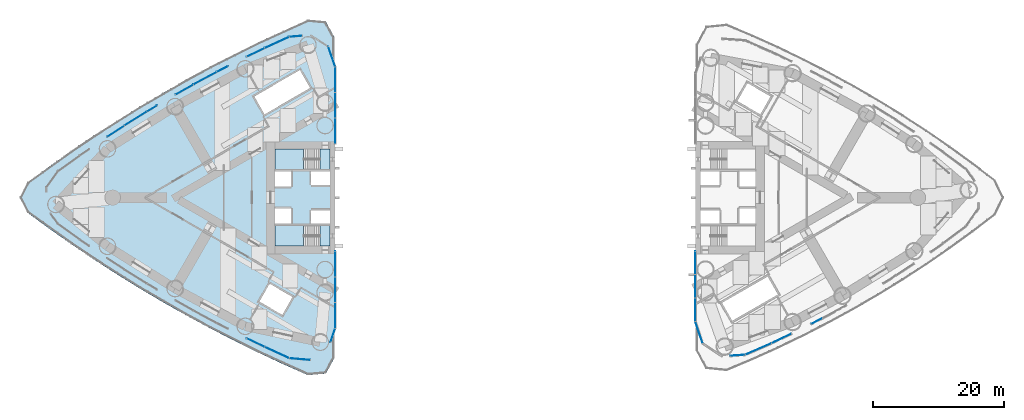
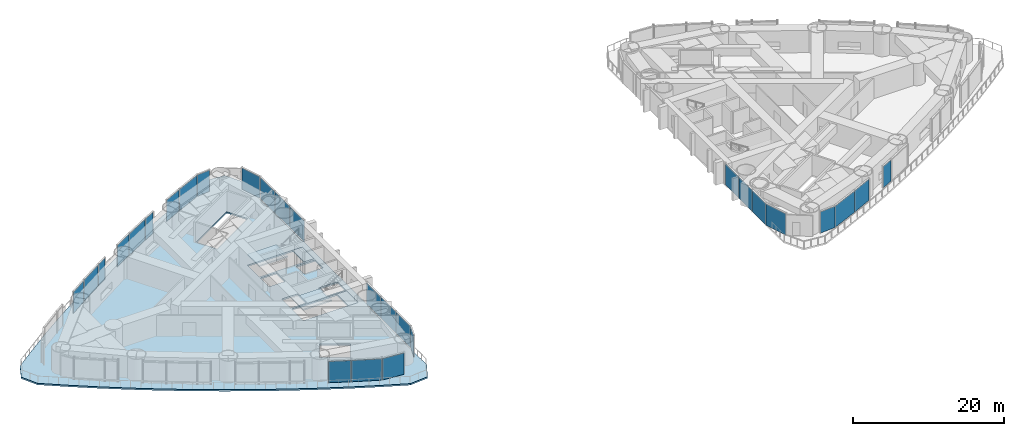
# One storey, part 11 of 19: 28 plates, 5 slabs, 11 elements without a shape of their own.
"""IFC4 building model written with IfcOpenShell, lengths in metres."""

from ifc_helpers import new_model, si_unit, direction, frame, origin, origin_2d, place, context, subcontext, project, spatial, polyline, rectangle, outline, extrude, material, layer, layer_set, type_object, element, aggregate, save


model = new_model("IFC4")

# Units and contexts
model_context = context("Model", 3, precision=1e-05, world=origin(), true_north=direction((0.0, 1.0)))
body_context = subcontext(model_context, "Body", "Model", "MODEL_VIEW")
ifc_project = project(units=[si_unit("LENGTHUNIT", "METRE"), si_unit("AREAUNIT", "SQUARE_METRE"), si_unit("VOLUMEUNIT", "CUBIC_METRE"), si_unit("PLANEANGLEUNIT", "RADIAN"), si_unit("MASSUNIT", "GRAM", prefix="KILO")], contexts=[model_context])

# Site, building, storey
site_placement = place(None, origin())
site = spatial("IfcSite", under=ifc_project, at=site_placement, CompositionType="ELEMENT")
building_placement = place(site_placement, origin())
building = spatial("IfcBuilding", under=site, at=building_placement, Name="Lancet Gate Hotel", CompositionType="ELEMENT")
storey_placement = place(building_placement, frame((0.0, 0.0, 87.0)))
storey = spatial("IfcBuildingStorey", under=building, at=storey_placement, Name="L22", CompositionType="ELEMENT", Elevation=87.0)

# Slab
ifc_material_1 = material(Name="Concrete C50/60", Category="concrete")
ifc_layer_1 = layer(ifc_material_1, 0.25)
ifc_layer_set_1 = layer_set([ifc_layer_1], Name="Floor slab 250")
slab_type_1 = type_object("IfcSlabType", Name="Floor slab 250", PredefinedType="FLOOR", material=ifc_layer_set_1)
slab_1_placement = place(storey_placement, frame((0.0, 0.0, -0.25)))
element("IfcSlab", 1, at=slab_1_placement, inside=storey, type_object=slab_type_1, Name="T1 L22 floor slab", PredefinedType="FLOOR", context=body_context, shape_type="SweptSolid", body=[
    extrude(outline(polyline([(-27.5, 8.199951171875), (-27.5, 8.60009765625), (-27.6201171875, 8.60009765625), (-27.6201171875, 19.950927734375), (-27.6201171875, 24.4609375), (-28.926513671875, 26.8837890625), (-31.668212890625, 27.12353515625), (-35.424072265625, 25.458740234375), (-39.173583984375, 23.70849609375), (-42.887939453125, 21.884765625), (-46.56591796875, 19.98876953125), (-50.2060546875, 18.02099609375), (-53.806884765625, 15.982421875), (-57.366943359375, 13.87353515625), (-60.88525390625, 11.695068359375), (-64.360107421875, 9.448486328125), (-67.7900390625, 7.134033203125), (-71.17431640625, 4.752685546875), (-74.488525390625, 2.322021484375), (-75.65087890625, 0.0), (-74.488525390625, -2.322021484375), (-71.17431640625, -4.752685546875), (-67.7900390625, -7.134033203125), (-64.360107421875, -9.448486328125), (-60.88525390625, -11.695068359375), (-57.366943359375, -13.87353515625), (-53.806884765625, -15.982421875), (-50.2060546875, -18.02099609375), (-46.56591796875, -19.98876953125), (-42.887939453125, -21.884765625), (-39.173583984375, -23.70849609375), (-35.424072265625, -25.458740234375), (-31.668212890625, -27.12353515625), (-28.926513671875, -26.8837890625), (-27.6201171875, -24.4609375), (-27.6201171875, -19.950927734375), (-27.6201171875, -8.60009765625), (-27.5, -8.60009765625), (-27.5, -8.199951171875), (-27.5, 8.199951171875)]), holes=[polyline([(-36.699951171875, 4.300048828125), (-28.300048828125, 4.300048828125), (-28.300048828125, 7.39990234375), (-36.699951171875, 7.39990234375), (-36.699951171875, 4.300048828125)]), polyline([(-31.199951171875, 4.0), (-31.199951171875, 1.89990234375), (-28.300048828125, 1.89990234375), (-28.300048828125, 4.0), (-31.199951171875, 4.0)]), polyline([(-36.699951171875, 4.0), (-36.699951171875, 1.64990234375), (-34.25, 1.64990234375), (-34.25, 4.0), (-36.699951171875, 4.0)]), polyline([(-36.699951171875, -4.0), (-34.25, -4.0), (-34.25, -1.64990234375), (-36.699951171875, -1.64990234375), (-36.699951171875, -4.0)]), polyline([(-31.199951171875, -1.89990234375), (-31.199951171875, -4.0), (-28.300048828125, -4.0), (-28.300048828125, -1.89990234375), (-31.199951171875, -1.89990234375)]), polyline([(-36.699951171875, -4.300048828125), (-36.699951171875, -7.39990234375), (-28.300048828125, -7.39990234375), (-28.300048828125, -4.300048828125), (-36.699951171875, -4.300048828125)]), polyline([(-31.2900390625, 16.73095703125), (-32.889892578125, 19.501953125), (-39.904052734375, 15.451904296875), (-38.303955078125, 12.680908203125), (-31.2900390625, 16.73095703125)]), polyline([(-33.97412109375, -15.180908203125), (-37.52490234375, -13.131103515625), (-39.125, -15.902099609375), (-35.573974609375, -17.951904296875), (-33.97412109375, -15.180908203125)])]), origin(), (0.0, 0.0, 1.0), 0.25),
])

# Stair, slabs
ifc_material_2 = material(Name="Exit stair 20 risers 1500")
stair_type = type_object("IfcStairType", Name="Exit stair 20 risers 1500", PredefinedType="HALF_TURN_STAIR", material=ifc_material_2)
stair_1_placement = place(storey_placement, origin())
stair_1 = element("IfcStair", 2, at=stair_1_placement, inside=storey, type_object=stair_type, Name="T1 stair 1 L22", PredefinedType="HALF_TURN_STAIR")
ifc_material_3 = material(Name="Concrete C40/50", Category="concrete")
ifc_layer_2 = layer(ifc_material_3, 0.199951171875)
ifc_layer_set_2 = layer_set([ifc_layer_2], Name="Stair landing 200")
slab_type_2 = type_object("IfcSlabType", Name="Stair landing 200", PredefinedType="LANDING", material=ifc_layer_set_2)
slab_2_placement = place(storey_placement, frame((0.0, 0.0, -0.199951171875)))
slab_2 = element("IfcSlab", 3, at=slab_2_placement, type_object=slab_type_2, Name="ST1 landing 1", PredefinedType="LANDING", context=body_context, shape_type="SweptSolid", body=[
    extrude(outline(polyline([(-28.300048828125, 7.39990234375), (-29.800048828125, 7.39990234375), (-29.800048828125, 4.300048828125), (-28.300048828125, 4.300048828125), (-28.300048828125, 7.39990234375)])), origin(), (0.0, 0.0, 1.0), 0.199951171875),
])
slab_3_placement = place(storey_placement, frame((0.0, 0.0, 1.60009765625)))
slab_3 = element("IfcSlab", 4, at=slab_3_placement, type_object=slab_type_2, Name="ST1 landing 2", PredefinedType="LANDING", context=body_context, shape_type="SweptSolid", body=[
    extrude(outline(polyline([(-32.320068359375, 7.39990234375), (-36.699951171875, 7.39990234375), (-36.699951171875, 4.300048828125), (-32.320068359375, 4.300048828125), (-32.320068359375, 7.39990234375)])), origin(), (0.0, 0.0, 1.0), 0.199951171875),
])
aggregate(stair_1, [slab_2, slab_3])

stair_2_placement = place(storey_placement, origin())
stair_2 = element("IfcStair", 5, at=stair_2_placement, inside=storey, type_object=stair_type, Name="T1 stair 2 L22", PredefinedType="HALF_TURN_STAIR")
slab_4_placement = place(storey_placement, frame((0.0, 0.0, -0.199951171875)))
slab_4 = element("IfcSlab", 6, at=slab_4_placement, type_object=slab_type_2, Name="ST2 landing 1", PredefinedType="LANDING", context=body_context, shape_type="SweptSolid", body=[
    extrude(outline(polyline([(-28.300048828125, -4.300048828125), (-29.800048828125, -4.300048828125), (-29.800048828125, -7.39990234375), (-28.300048828125, -7.39990234375), (-28.300048828125, -4.300048828125)])), origin(), (0.0, 0.0, 1.0), 0.199951171875),
])
slab_5_placement = place(storey_placement, frame((0.0, 0.0, 1.60009765625)))
slab_5 = element("IfcSlab", 7, at=slab_5_placement, type_object=slab_type_2, Name="ST2 landing 2", PredefinedType="LANDING", context=body_context, shape_type="SweptSolid", body=[
    extrude(outline(polyline([(-32.320068359375, -4.300048828125), (-36.699951171875, -4.300048828125), (-36.699951171875, -7.39990234375), (-32.320068359375, -7.39990234375), (-32.320068359375, -4.300048828125)])), origin(), (0.0, 0.0, 1.0), 0.199951171875),
])
aggregate(stair_2, [slab_4, slab_5])

# Curtain wall, plates
ifc_material_4 = material(Name="Aluminium curtain wall", Category="aluminium")
curtain_wall_type = type_object("IfcCurtainWallType", Name="Tower unitised curtain wall", PredefinedType="USERDEFINED", material=ifc_material_4)
curtain_wall_1_placement = place(storey_placement, origin())
curtain_wall_1 = element("IfcCurtainWall", 8, at=curtain_wall_1_placement, inside=storey, type_object=curtain_wall_type, Name="T1 L22 curtain wall 1", ObjectType="UNITISED CURTAIN WALL", PredefinedType="USERDEFINED")
ifc_material_5 = material(Name="Glass double glazed unit 8-16-6", Category="glass")
ifc_layer_3 = layer(ifc_material_5, 0.030029296875)
ifc_layer_set_3 = layer_set([ifc_layer_3], Name="Vision panel double glazed")
plate_type = type_object("IfcPlateType", Name="Vision panel double glazed", PredefinedType="CURTAIN_PANEL", material=ifc_layer_set_3)
plate_1_placement = place(storey_placement, frame((-27.5, 10.161865234375, 0.0), z_axis=(0.0, 0.0, 1.0), x_axis=(0.0, 1.0, 0.0)))
plate_1 = element("IfcPlate", 9, at=plate_1_placement, type_object=plate_type, Name="T1 L22 curtain wall 1 panel 1", PredefinedType="CURTAIN_PANEL", context=body_context, shape_type="SweptSolid", body=[
    extrude(rectangle(XDim=3.858642578125, YDim=0.030029296875, at=origin_2d()), origin(), (0.0, 0.0, 1.0), 3.449951171875),
])
plate_2_placement = place(storey_placement, frame((-27.5, 14.08544921875, 0.0), z_axis=(0.0, 0.0, 1.0), x_axis=(0.0, 1.0, 0.0)))
plate_2 = element("IfcPlate", 10, at=plate_2_placement, type_object=plate_type, Name="T1 L22 curtain wall 1 panel 2", PredefinedType="CURTAIN_PANEL", context=body_context, shape_type="SweptSolid", body=[
    extrude(rectangle(XDim=3.858642578125, YDim=0.030029296875, at=origin_2d()), origin(), (0.0, 0.0, 1.0), 3.449951171875),
])
plate_3_placement = place(storey_placement, frame((-27.5, 18.00927734375, 0.0), z_axis=(0.0, 0.0, 1.0), x_axis=(0.0, 1.0, 0.0)))
plate_3 = element("IfcPlate", 11, at=plate_3_placement, type_object=plate_type, Name="T1 L22 curtain wall 1 panel 3", PredefinedType="CURTAIN_PANEL", context=body_context, shape_type="SweptSolid", body=[
    extrude(rectangle(XDim=3.858642578125, YDim=0.030029296875, at=origin_2d()), origin(), (0.0, 0.0, 1.0), 3.449951171875),
])
plate_4_placement = place(storey_placement, frame((-28.02978515625, 21.510009765625, 0.0), z_axis=(0.0, 0.0, 1.0), x_axis=(-0.325515820766, 0.945536593914, 0.0)))
plate_4 = element("IfcPlate", 12, at=plate_4_placement, type_object=plate_type, Name="T1 L22 curtain wall 1 panel 4", PredefinedType="CURTAIN_PANEL", context=body_context, shape_type="SweptSolid", body=[
    extrude(rectangle(XDim=3.190185546875, YDim=0.030029296875, at=origin_2d()), origin(), (0.0, 0.0, 1.0), 3.449951171875),
])
aggregate(curtain_wall_1, [plate_1, plate_2, plate_3, plate_4])

curtain_wall_2_placement = place(storey_placement, origin())
curtain_wall_2 = element("IfcCurtainWall", 13, at=curtain_wall_2_placement, inside=storey, type_object=curtain_wall_type, Name="T1 L22 curtain wall 2", ObjectType="UNITISED CURTAIN WALL", PredefinedType="USERDEFINED")
plate_5_placement = place(storey_placement, frame((-33.51416015625, 24.628173828125, 0.0), z_axis=(0.0, 0.0, 1.0), x_axis=(-0.996218779711, -0.086880049207, 0.0)))
plate_5 = element("IfcPlate", 14, at=plate_5_placement, type_object=plate_type, Name="T1 L22 curtain wall 2 panel 1", PredefinedType="CURTAIN_PANEL", context=body_context, shape_type="SweptSolid", body=[
    extrude(rectangle(XDim=1.978759765625, YDim=0.030029296875, at=origin_2d()), origin(), (0.0, 0.0, 1.0), 3.449951171875),
])
plate_6_placement = place(storey_placement, frame((-36.392333984375, 23.68798828125, 0.0), z_axis=(0.0, 0.0, 1.0), x_axis=(-0.909252721243, -0.416244506166, 0.0)))
plate_6 = element("IfcPlate", 15, at=plate_6_placement, type_object=plate_type, Name="T1 L22 curtain wall 2 panel 2", PredefinedType="CURTAIN_PANEL", context=body_context, shape_type="SweptSolid", body=[
    extrude(rectangle(XDim=4.026611328125, YDim=0.030029296875, at=origin_2d()), origin(), (0.0, 0.0, 1.0), 3.449951171875),
])
plate_7_placement = place(storey_placement, frame((-39.632568359375, 22.168212890625, 0.0), z_axis=(0.0, 0.0, 1.0), x_axis=(-0.900081672047, -0.435721222395, 0.0)))
plate_7 = element("IfcPlate", 16, at=plate_7_placement, type_object=plate_type, Name="T1 L22 curtain wall 2 panel 3", PredefinedType="CURTAIN_PANEL", context=body_context, shape_type="SweptSolid", body=[
    extrude(rectangle(XDim=3.00146484375, YDim=0.030029296875, at=origin_2d()), origin(), (0.0, 0.0, 1.0), 3.449951171875),
])
aggregate(curtain_wall_2, [plate_5, plate_6, plate_7])

curtain_wall_3_placement = place(storey_placement, origin())
curtain_wall_3 = element("IfcCurtainWall", 17, at=curtain_wall_3_placement, inside=storey, type_object=curtain_wall_type, Name="T1 L22 curtain wall 3", ObjectType="UNITISED CURTAIN WALL", PredefinedType="USERDEFINED")
plate_8_placement = place(storey_placement, frame((-44.716796875, 19.63232421875, 0.0), z_axis=(0.0, 0.0, 1.0), x_axis=(-0.890493479451, -0.45499600334, 0.0)))
plate_8 = element("IfcPlate", 18, at=plate_8_placement, type_object=plate_type, Name="T1 L22 curtain wall 3 panel 1", PredefinedType="CURTAIN_PANEL", context=body_context, shape_type="SweptSolid", body=[
    extrude(rectangle(XDim=1.87109375, YDim=0.030029296875, at=origin_2d()), origin(), (0.0, 0.0, 1.0), 3.449951171875),
])
plate_9_placement = place(storey_placement, frame((-47.380126953125, 18.221923828125, 0.0), z_axis=(0.0, 0.0, 1.0), x_axis=(-0.880492587094, -0.474059916121, 0.0)))
plate_9 = element("IfcPlate", 19, at=plate_9_placement, type_object=plate_type, Name="T1 L22 curtain wall 3 panel 2", PredefinedType="CURTAIN_PANEL", context=body_context, shape_type="SweptSolid", body=[
    extrude(rectangle(XDim=4.026611328125, YDim=0.030029296875, at=origin_2d()), origin(), (0.0, 0.0, 1.0), 3.449951171875),
])
plate_10_placement = place(storey_placement, frame((-50.53564453125, 16.485107421875, 0.0), z_axis=(0.0, 0.0, 1.0), x_axis=(-0.870083629903, -0.49290412554, 0.0)))
plate_10 = element("IfcPlate", 20, at=plate_10_placement, type_object=plate_type, Name="T1 L22 curtain wall 3 panel 3", PredefinedType="CURTAIN_PANEL", context=body_context, shape_type="SweptSolid", body=[
    extrude(rectangle(XDim=3.047607421875, YDim=0.030029296875, at=origin_2d()), origin(), (0.0, 0.0, 1.0), 3.449951171875),
])
aggregate(curtain_wall_3, [plate_8, plate_9, plate_10])

curtain_wall_4_placement = place(storey_placement, origin())
curtain_wall_4 = element("IfcCurtainWall", 21, at=curtain_wall_4_placement, inside=storey, type_object=curtain_wall_type, Name="T1 L22 curtain wall 4", ObjectType="UNITISED CURTAIN WALL", PredefinedType="USERDEFINED")
plate_11_placement = place(storey_placement, frame((-55.4736328125, 13.609130859375, 0.0), z_axis=(0.0, 0.0, 1.0), x_axis=(-0.859271431916, -0.511519898238, 0.0)))
plate_11 = element("IfcPlate", 22, at=plate_11_placement, type_object=plate_type, Name="T1 L22 curtain wall 4 panel 1", PredefinedType="CURTAIN_PANEL", context=body_context, shape_type="SweptSolid", body=[
    extrude(rectangle(XDim=1.759521484375, YDim=0.030029296875, at=origin_2d()), origin(), (0.0, 0.0, 1.0), 3.449951171875),
])
plate_12_placement = place(storey_placement, frame((-57.992431640625, 12.058349609375, 0.0), z_axis=(0.0, 0.0, 1.0), x_axis=(-0.848061004052, -0.529898606722, 0.0)))
plate_12 = element("IfcPlate", 23, at=plate_12_placement, type_object=plate_type, Name="T1 L22 curtain wall 4 panel 2", PredefinedType="CURTAIN_PANEL", context=body_context, shape_type="SweptSolid", body=[
    extrude(rectangle(XDim=4.026611328125, YDim=0.030029296875, at=origin_2d()), origin(), (0.0, 0.0, 1.0), 3.449951171875),
])
plate_13_placement = place(storey_placement, frame((-61.037353515625, 10.1162109375, 0.0), z_axis=(0.0, 0.0, 1.0), x_axis=(-0.836457541791, -0.54803173337, 0.0)))
plate_13 = element("IfcPlate", 24, at=plate_13_placement, type_object=plate_type, Name="T1 L22 curtain wall 4 panel 3", PredefinedType="CURTAIN_PANEL", context=body_context, shape_type="SweptSolid", body=[
    extrude(rectangle(XDim=3.06689453125, YDim=0.030029296875, at=origin_2d()), origin(), (0.0, 0.0, 1.0), 3.449951171875),
])
aggregate(curtain_wall_4, [plate_11, plate_12, plate_13])

curtain_wall_5_placement = place(storey_placement, origin())
curtain_wall_5 = element("IfcCurtainWall", 25, at=curtain_wall_5_placement, inside=storey, type_object=curtain_wall_type, Name="T1 L22 curtain wall 9", ObjectType="UNITISED CURTAIN WALL", PredefinedType="USERDEFINED")
plate_14_placement = place(storey_placement, frame((-39.632568359375, -22.168212890625, 0.0), z_axis=(0.0, 0.0, 1.0), x_axis=(0.900081672047, -0.435721222395, 0.0)))
plate_14 = element("IfcPlate", 26, at=plate_14_placement, type_object=plate_type, Name="T1 L22 curtain wall 9 panel 1", PredefinedType="CURTAIN_PANEL", context=body_context, shape_type="SweptSolid", body=[
    extrude(rectangle(XDim=3.00146484375, YDim=0.030029296875, at=origin_2d()), origin(), (0.0, 0.0, 1.0), 3.449951171875),
])
plate_15_placement = place(storey_placement, frame((-36.392333984375, -23.68798828125, 0.0), z_axis=(0.0, 0.0, 1.0), x_axis=(0.909252721243, -0.416244506166, 0.0)))
plate_15 = element("IfcPlate", 27, at=plate_15_placement, type_object=plate_type, Name="T1 L22 curtain wall 9 panel 2", PredefinedType="CURTAIN_PANEL", context=body_context, shape_type="SweptSolid", body=[
    extrude(rectangle(XDim=4.026611328125, YDim=0.030029296875, at=origin_2d()), origin(), (0.0, 0.0, 1.0), 3.449951171875),
])
plate_16_placement = place(storey_placement, frame((-32.91064453125, -24.680908203125, 0.0), z_axis=(0.0, 0.0, 1.0), x_axis=(0.996218779711, -0.086880049207, 0.0)))
plate_16 = element("IfcPlate", 28, at=plate_16_placement, type_object=plate_type, Name="T1 L22 curtain wall 9 panel 3", PredefinedType="CURTAIN_PANEL", context=body_context, shape_type="SweptSolid", body=[
    extrude(rectangle(XDim=3.190185546875, YDim=0.030029296875, at=origin_2d()), origin(), (0.0, 0.0, 1.0), 3.449951171875),
])
aggregate(curtain_wall_5, [plate_14, plate_15, plate_16])

curtain_wall_6_placement = place(storey_placement, origin())
curtain_wall_6 = element("IfcCurtainWall", 29, at=curtain_wall_6_placement, inside=storey, type_object=curtain_wall_type, Name="T1 L22 curtain wall 10", ObjectType="UNITISED CURTAIN WALL", PredefinedType="USERDEFINED")
plate_17_placement = place(storey_placement, frame((-27.865966796875, -21.034423828125, 0.0), z_axis=(0.0, 0.0, 1.0), x_axis=(0.325515820766, 0.945536593914, 0.0)))
plate_17 = element("IfcPlate", 30, at=plate_17_placement, type_object=plate_type, Name="T1 L22 curtain wall 10 panel 1", PredefinedType="CURTAIN_PANEL", context=body_context, shape_type="SweptSolid", body=[
    extrude(rectangle(XDim=2.184326171875, YDim=0.030029296875, at=origin_2d()), origin(), (0.0, 0.0, 1.0), 3.449951171875),
])
plate_18_placement = place(storey_placement, frame((-27.5, -18.00927734375, 0.0), z_axis=(0.0, 0.0, 1.0), x_axis=(0.0, 1.0, 0.0)))
plate_18 = element("IfcPlate", 31, at=plate_18_placement, type_object=plate_type, Name="T1 L22 curtain wall 10 panel 2", PredefinedType="CURTAIN_PANEL", context=body_context, shape_type="SweptSolid", body=[
    extrude(rectangle(XDim=3.858642578125, YDim=0.030029296875, at=origin_2d()), origin(), (0.0, 0.0, 1.0), 3.449951171875),
])
plate_19_placement = place(storey_placement, frame((-27.5, -14.08544921875, 0.0), z_axis=(0.0, 0.0, 1.0), x_axis=(0.0, 1.0, 0.0)))
plate_19 = element("IfcPlate", 32, at=plate_19_placement, type_object=plate_type, Name="T1 L22 curtain wall 10 panel 3", PredefinedType="CURTAIN_PANEL", context=body_context, shape_type="SweptSolid", body=[
    extrude(rectangle(XDim=3.858642578125, YDim=0.030029296875, at=origin_2d()), origin(), (0.0, 0.0, 1.0), 3.449951171875),
])
plate_20_placement = place(storey_placement, frame((-27.5, -10.161865234375, 0.0), z_axis=(0.0, 0.0, 1.0), x_axis=(0.0, 1.0, 0.0)))
plate_20 = element("IfcPlate", 33, at=plate_20_placement, type_object=plate_type, Name="T1 L22 curtain wall 10 panel 4", PredefinedType="CURTAIN_PANEL", context=body_context, shape_type="SweptSolid", body=[
    extrude(rectangle(XDim=3.858642578125, YDim=0.030029296875, at=origin_2d()), origin(), (0.0, 0.0, 1.0), 3.449951171875),
])
aggregate(curtain_wall_6, [plate_17, plate_18, plate_19, plate_20])

curtain_wall_7_placement = place(storey_placement, origin())
curtain_wall_7 = element("IfcCurtainWall", 34, at=curtain_wall_7_placement, inside=storey, type_object=curtain_wall_type, Name="T2 L22 curtain wall 1", ObjectType="UNITISED CURTAIN WALL", PredefinedType="USERDEFINED")
plate_21_placement = place(storey_placement, frame((27.5, -9.990478515625, 0.0), z_axis=(0.0, 0.0, 1.0), x_axis=(0.0, -1.0, 0.0)))
plate_21 = element("IfcPlate", 35, at=plate_21_placement, type_object=plate_type, Name="T2 L22 curtain wall 1 panel 1", PredefinedType="CURTAIN_PANEL", context=body_context, shape_type="SweptSolid", body=[
    extrude(rectangle(XDim=3.515869140625, YDim=0.030029296875, at=origin_2d()), origin(), (0.0, 0.0, 1.0), 3.449951171875),
])
plate_22_placement = place(storey_placement, frame((27.5, -13.571533203125, 0.0), z_axis=(0.0, 0.0, 1.0), x_axis=(0.0, -1.0, 0.0)))
plate_22 = element("IfcPlate", 36, at=plate_22_placement, type_object=plate_type, Name="T2 L22 curtain wall 1 panel 2", PredefinedType="CURTAIN_PANEL", context=body_context, shape_type="SweptSolid", body=[
    extrude(rectangle(XDim=3.515869140625, YDim=0.030029296875, at=origin_2d()), origin(), (0.0, 0.0, 1.0), 3.449951171875),
])
plate_23_placement = place(storey_placement, frame((27.5, -17.15234375, 0.0), z_axis=(0.0, 0.0, 1.0), x_axis=(0.0, -1.0, 0.0)))
plate_23 = element("IfcPlate", 37, at=plate_23_placement, type_object=plate_type, Name="T2 L22 curtain wall 1 panel 3", PredefinedType="CURTAIN_PANEL", context=body_context, shape_type="SweptSolid", body=[
    extrude(rectangle(XDim=3.515869140625, YDim=0.030029296875, at=origin_2d()), origin(), (0.0, 0.0, 1.0), 3.449951171875),
])
plate_24_placement = place(storey_placement, frame((28.072265625, -20.622314453125, 0.0), z_axis=(0.0, 0.0, 1.0), x_axis=(0.32257568891, -0.946543673015, 0.0)))
plate_24 = element("IfcPlate", 38, at=plate_24_placement, type_object=plate_type, Name="T2 L22 curtain wall 1 panel 4", PredefinedType="CURTAIN_PANEL", context=body_context, shape_type="SweptSolid", body=[
    extrude(rectangle(XDim=3.4833984375, YDim=0.030029296875, at=origin_2d()), origin(), (0.0, 0.0, 1.0), 3.449951171875),
])
aggregate(curtain_wall_7, [plate_21, plate_22, plate_23, plate_24])

curtain_wall_8_placement = place(storey_placement, origin())
curtain_wall_8 = element("IfcCurtainWall", 39, at=curtain_wall_8_placement, inside=storey, type_object=curtain_wall_type, Name="T2 L22 curtain wall 2", ObjectType="UNITISED CURTAIN WALL", PredefinedType="USERDEFINED")
plate_25_placement = place(storey_placement, frame((33.95751953125, -24.09375, 0.0), z_axis=(0.0, 0.0, 1.0), x_axis=(0.997448492935, 0.07138980278, 0.0)))
plate_25 = element("IfcPlate", 40, at=plate_25_placement, type_object=plate_type, Name="T2 L22 curtain wall 2 panel 1", PredefinedType="CURTAIN_PANEL", context=body_context, shape_type="SweptSolid", body=[
    extrude(rectangle(XDim=2.30859375, YDim=0.030029296875, at=origin_2d()), origin(), (0.0, 0.0, 1.0), 3.449951171875),
])
plate_26_placement = place(storey_placement, frame((37.13134765625, -23.13427734375, 0.0), z_axis=(0.0, 0.0, 1.0), x_axis=(0.915478658759, 0.40236653111, 0.0)))
plate_26 = element("IfcPlate", 41, at=plate_26_placement, type_object=plate_type, Name="T2 L22 curtain wall 2 panel 2", PredefinedType="CURTAIN_PANEL", context=body_context, shape_type="SweptSolid", body=[
    extrude(rectangle(XDim=4.2822265625, YDim=0.030029296875, at=origin_2d()), origin(), (0.0, 0.0, 1.0), 3.449951171875),
])
plate_27_placement = place(storey_placement, frame((40.66455078125, -21.528564453125, 0.0), z_axis=(0.0, 0.0, 1.0), x_axis=(0.903683440096, 0.428201167789, 0.0)))
plate_27 = element("IfcPlate", 42, at=plate_27_placement, type_object=plate_type, Name="T2 L22 curtain wall 2 panel 3", PredefinedType="CURTAIN_PANEL", context=body_context, shape_type="SweptSolid", body=[
    extrude(rectangle(XDim=3.350830078125, YDim=0.030029296875, at=origin_2d()), origin(), (0.0, 0.0, 1.0), 3.449951171875),
])
aggregate(curtain_wall_8, [plate_25, plate_26, plate_27])

# Curtain wall, plate
curtain_wall_9_placement = place(storey_placement, origin())
curtain_wall_9 = element("IfcCurtainWall", 43, at=curtain_wall_9_placement, inside=storey, type_object=curtain_wall_type, Name="T2 L22 curtain wall 3", ObjectType="UNITISED CURTAIN WALL", PredefinedType="USERDEFINED")
plate_28_placement = place(storey_placement, frame((46.053466796875, -18.869140625, 0.0), z_axis=(0.0, 0.0, 1.0), x_axis=(0.891159350462, 0.453690436403, 0.0)))
plate_28 = element("IfcPlate", 44, at=plate_28_placement, type_object=plate_type, Name="T2 L22 curtain wall 3 panel 1", PredefinedType="CURTAIN_PANEL", context=body_context, shape_type="SweptSolid", body=[
    extrude(rectangle(XDim=1.888427734375, YDim=0.030029296875, at=origin_2d()), origin(), (0.0, 0.0, 1.0), 3.449951171875),
])
aggregate(curtain_wall_9, [plate_28])

save(model, "model.ifc")
